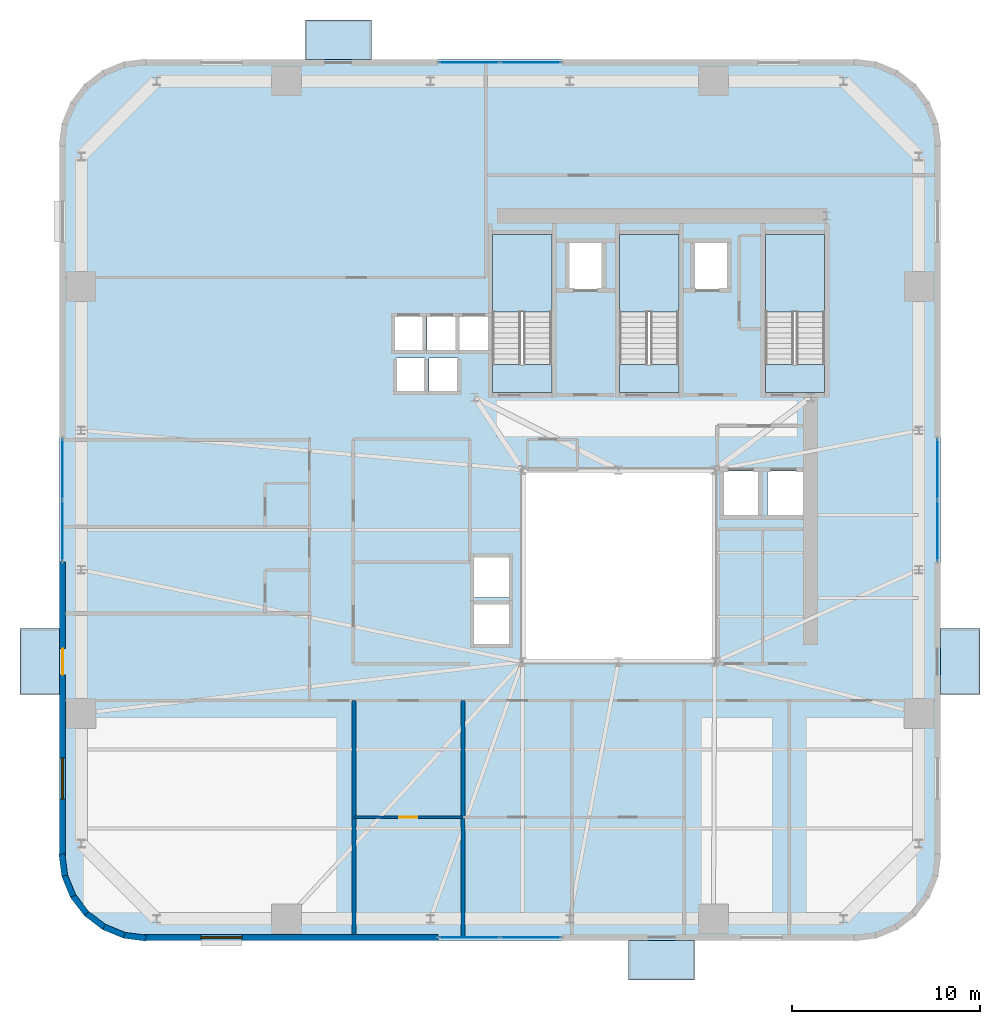
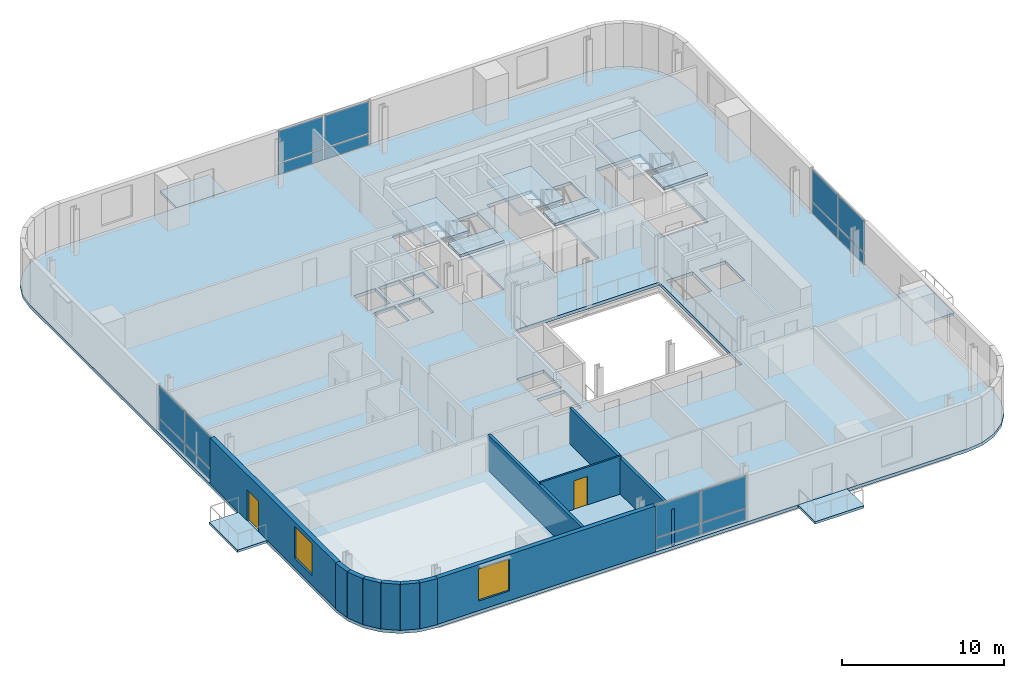
# One storey, part 5 of 14: 16 plates, 11 slabs, 11 walls, 2 doors, 2 windows, 4 openings, 7 elements without a shape of their own.
"""IFC4 building model written with IfcOpenShell, lengths in metres."""

from ifc_helpers import new_model, si_unit, direction, frame, frame_2d, origin, origin_2d, place, context, subcontext, project, spatial, polyline, rectangle, outline, extrude, source, transform, mapped, material, layer, layer_set, type_object, element, fill, aggregate, save


model = new_model("IFC4")

# Units and contexts
model_context = context("Model", 3, precision=1e-05, world=origin(), true_north=direction((0.0, 1.0)))
body_context = subcontext(model_context, "Body", "Model", "MODEL_VIEW")
ifc_project = project(units=[si_unit("LENGTHUNIT", "METRE"), si_unit("AREAUNIT", "SQUARE_METRE"), si_unit("VOLUMEUNIT", "CUBIC_METRE"), si_unit("PLANEANGLEUNIT", "RADIAN"), si_unit("MASSUNIT", "GRAM", prefix="KILO")], contexts=[model_context])

# Site, building, storey
site_placement = place(None, origin())
site = spatial("IfcSite", under=ifc_project, at=site_placement, CompositionType="ELEMENT")
building_placement = place(site_placement, origin())
building = spatial("IfcBuilding", under=site, at=building_placement, Name="Vardaveli Station Tower", CompositionType="ELEMENT")
storey_placement = place(building_placement, frame((0.0, 0.0, 144.60009765625)))
storey = spatial("IfcBuildingStorey", under=building, at=storey_placement, Name="L37", CompositionType="ELEMENT", Elevation=144.60009765625)

# Stair, slabs
ifc_material_1 = material(Name="Concrete C40/50", Category="concrete")
stair_type = type_object("IfcStairType", Name="STR-CORE-1500", PredefinedType="HALF_TURN_STAIR", material=ifc_material_1)
stair_1_placement = place(storey_placement, origin())
stair_1 = element("IfcStair", 1, at=stair_1_placement, inside=storey, type_object=stair_type, Name="L37 ST-1", PredefinedType="HALF_TURN_STAIR")
ifc_layer_1 = layer(ifc_material_1, 0.199951171875, Name="Concrete C40/50")
ifc_layer_set_1 = layer_set([ifc_layer_1], Name="Concrete C40/50")
slab_type_1 = type_object("IfcSlabType", Name="SLB-LAND-200", PredefinedType="LANDING", material=ifc_layer_set_1)
slab_1_placement = place(storey_placement, frame((0.0, 0.0, 1.64990234375)))
slab_1 = element("IfcSlab", 2, at=slab_1_placement, type_object=slab_type_1, Name="ST-1 landing 1", PredefinedType="LANDING", context=body_context, shape_type="SweptSolid", body=[
    extrude(outline(polyline([(32.75, 35.199951171875), (32.75, 39.300048828125), (29.60009765625, 39.300048828125), (29.60009765625, 35.199951171875), (32.75, 35.199951171875)])), origin(), (0.0, 0.0, 1.0), 0.199951171875),
])
slab_2_placement = place(storey_placement, frame((0.0, 0.0, 3.5)))
slab_2 = element("IfcSlab", 3, at=slab_2_placement, type_object=slab_type_1, Name="ST-1 landing 2", PredefinedType="LANDING", context=body_context, shape_type="SweptSolid", body=[
    extrude(outline(polyline([(32.75, 30.89990234375), (32.75, 32.39990234375), (29.60009765625, 32.39990234375), (29.60009765625, 30.89990234375), (32.75, 30.89990234375)])), origin(), (0.0, 0.0, 1.0), 0.199951171875),
])
aggregate(stair_1, [slab_1, slab_2])

stair_2_placement = place(storey_placement, origin())
stair_2 = element("IfcStair", 4, at=stair_2_placement, inside=storey, type_object=stair_type, Name="L37 ST-2", PredefinedType="HALF_TURN_STAIR")
slab_3_placement = place(storey_placement, frame((0.0, 0.0, 1.64990234375)))
slab_3 = element("IfcSlab", 5, at=slab_3_placement, type_object=slab_type_1, Name="ST-2 landing 1", PredefinedType="LANDING", context=body_context, shape_type="SweptSolid", body=[
    extrude(outline(polyline([(39.5, 35.199951171875), (39.5, 39.300048828125), (36.35009765625, 39.300048828125), (36.35009765625, 35.199951171875), (39.5, 35.199951171875)])), origin(), (0.0, 0.0, 1.0), 0.199951171875),
])
slab_4_placement = place(storey_placement, frame((0.0, 0.0, 3.5)))
slab_4 = element("IfcSlab", 6, at=slab_4_placement, type_object=slab_type_1, Name="ST-2 landing 2", PredefinedType="LANDING", context=body_context, shape_type="SweptSolid", body=[
    extrude(outline(polyline([(39.5, 30.89990234375), (39.5, 32.39990234375), (36.35009765625, 32.39990234375), (36.35009765625, 30.89990234375), (39.5, 30.89990234375)])), origin(), (0.0, 0.0, 1.0), 0.199951171875),
])
aggregate(stair_2, [slab_3, slab_4])

stair_3_placement = place(storey_placement, origin())
stair_3 = element("IfcStair", 7, at=stair_3_placement, inside=storey, type_object=stair_type, Name="L37 ST-3", PredefinedType="HALF_TURN_STAIR")
slab_5_placement = place(storey_placement, frame((0.0, 0.0, 1.64990234375)))
slab_5 = element("IfcSlab", 8, at=slab_5_placement, type_object=slab_type_1, Name="ST-3 landing 1", PredefinedType="LANDING", context=body_context, shape_type="SweptSolid", body=[
    extrude(outline(polyline([(47.25, 35.199951171875), (47.25, 39.300048828125), (44.10009765625, 39.300048828125), (44.10009765625, 35.199951171875), (47.25, 35.199951171875)])), origin(), (0.0, 0.0, 1.0), 0.199951171875),
])
slab_6_placement = place(storey_placement, frame((0.0, 0.0, 3.5)))
slab_6 = element("IfcSlab", 9, at=slab_6_placement, type_object=slab_type_1, Name="ST-3 landing 2", PredefinedType="LANDING", context=body_context, shape_type="SweptSolid", body=[
    extrude(outline(polyline([(47.25, 30.89990234375), (47.25, 32.39990234375), (44.10009765625, 32.39990234375), (44.10009765625, 30.89990234375), (47.25, 30.89990234375)])), origin(), (0.0, 0.0, 1.0), 0.199951171875),
])
aggregate(stair_3, [slab_5, slab_6])

# Slabs
ifc_material_2 = material(Name="Precast concrete C45/55", Category="concrete")
ifc_layer_2 = layer(ifc_material_2, 0.179931640625, Name="Precast concrete C45/55")
ifc_layer_set_2 = layer_set([ifc_layer_2], Name="Precast concrete C45/55")
slab_type_2 = type_object("IfcSlabType", Name="SLB-LOGGIA-180", PredefinedType="FLOOR", material=ifc_layer_set_2)
slab_7_placement = place(storey_placement, frame((0.0, 0.0, -0.18017578125)))
element("IfcSlab", 10, at=slab_7_placement, inside=storey, type_object=slab_type_2, Name="LOG-L37-S", PredefinedType="FLOOR", context=body_context, shape_type="SweptSolid", body=[
    extrude(outline(polyline([(36.839599609375, -0.300048828125), (40.339599609375, -0.300048828125), (40.339599609375, 1.800048828125), (36.839599609375, 1.800048828125), (36.839599609375, -0.300048828125)])), origin(), (0.0, 0.0, 1.0), 0.18017578125),
])
slab_8_placement = place(storey_placement, frame((0.0, 0.0, -0.18017578125)))
element("IfcSlab", 11, at=slab_8_placement, inside=storey, type_object=slab_type_2, Name="LOG-L37-N", PredefinedType="FLOOR", context=body_context, shape_type="SweptSolid", body=[
    extrude(outline(polyline([(19.660400390625, 48.60009765625), (23.160400390625, 48.60009765625), (23.160400390625, 50.699951171875), (19.660400390625, 50.699951171875), (19.660400390625, 48.60009765625)])), origin(), (0.0, 0.0, 1.0), 0.18017578125),
])
slab_9_placement = place(storey_placement, frame((0.0, 0.0, -0.18017578125)))
element("IfcSlab", 12, at=slab_9_placement, inside=storey, type_object=slab_type_2, Name="LOG-L37-W", PredefinedType="FLOOR", context=body_context, shape_type="SweptSolid", body=[
    extrude(outline(polyline([(4.5, 14.8603515625), (6.60009765625, 14.8603515625), (6.60009765625, 18.3603515625), (4.5, 18.3603515625), (4.5, 14.8603515625)])), origin(), (0.0, 0.0, 1.0), 0.18017578125),
])
slab_10_placement = place(storey_placement, frame((0.0, 0.0, -0.18017578125)))
element("IfcSlab", 13, at=slab_10_placement, inside=storey, type_object=slab_type_2, Name="LOG-L37-E", PredefinedType="FLOOR", context=body_context, shape_type="SweptSolid", body=[
    extrude(outline(polyline([(53.39990234375, 14.8603515625), (55.5, 14.8603515625), (55.5, 18.3603515625), (53.39990234375, 18.3603515625), (53.39990234375, 14.8603515625)])), origin(), (0.0, 0.0, 1.0), 0.18017578125),
])
ifc_layer_3 = layer(ifc_material_1, 0.239990234375, Name="Concrete C40/50")
ifc_layer_set_3 = layer_set([ifc_layer_3], Name="Concrete C40/50")
slab_type_3 = type_object("IfcSlabType", Name="SLB-TOW-240", PredefinedType="FLOOR", material=ifc_layer_set_3)
slab_11_placement = place(storey_placement, frame((0.0, 0.0, -0.239990234375)))
element("IfcSlab", 14, at=slab_11_placement, inside=storey, type_object=slab_type_3, Name="SLB-L37-MAIN", PredefinedType="FLOOR", context=body_context, shape_type="SweptSolid", body=[
    extrude(outline(polyline([(6.60009765625, 6.300048828125), (6.75341796875, 5.13525390625), (7.202880859375, 4.050048828125), (7.91796875, 3.117919921875), (8.85009765625, 2.40283203125), (9.935302734375, 1.953369140625), (11.10009765625, 1.800048828125), (48.89990234375, 1.800048828125), (50.064697265625, 1.953369140625), (51.14990234375, 2.40283203125), (52.08203125, 3.117919921875), (52.797119140625, 4.050048828125), (53.24658203125, 5.13525390625), (53.39990234375, 6.300048828125), (53.39990234375, 44.10009765625), (53.24658203125, 45.2646484375), (52.797119140625, 46.35009765625), (52.08203125, 47.281982421875), (51.14990234375, 47.9970703125), (50.064697265625, 48.44677734375), (48.89990234375, 48.60009765625), (11.10009765625, 48.60009765625), (9.935302734375, 48.44677734375), (8.85009765625, 47.9970703125), (7.91796875, 47.281982421875), (7.202880859375, 46.35009765625), (6.75341796875, 45.2646484375), (6.60009765625, 44.10009765625), (6.60009765625, 6.300048828125)]), holes=[polyline([(31.199951171875, 16.60009765625), (41.39990234375, 16.60009765625), (41.39990234375, 26.800048828125), (31.199951171875, 26.800048828125), (31.199951171875, 16.60009765625)]), polyline([(32.75, 30.89990234375), (32.75, 39.300048828125), (29.60009765625, 39.300048828125), (29.60009765625, 30.89990234375), (32.75, 30.89990234375)]), polyline([(39.5, 30.89990234375), (39.5, 39.300048828125), (36.35009765625, 39.300048828125), (36.35009765625, 30.89990234375), (39.5, 30.89990234375)]), polyline([(47.25, 30.89990234375), (47.25, 39.300048828125), (44.10009765625, 39.300048828125), (44.10009765625, 30.89990234375), (47.25, 30.89990234375)]), polyline([(24.385009765625, 33.135009765625), (25.9150390625, 33.135009765625), (25.9150390625, 34.965087890625), (24.385009765625, 34.965087890625), (24.385009765625, 33.135009765625)]), polyline([(26.135009765625, 33.135009765625), (27.6650390625, 33.135009765625), (27.6650390625, 34.965087890625), (26.135009765625, 34.965087890625), (26.135009765625, 33.135009765625)]), polyline([(27.8349609375, 33.135009765625), (29.364990234375, 33.135009765625), (29.364990234375, 34.965087890625), (27.8349609375, 34.965087890625), (27.8349609375, 33.135009765625)]), polyline([(33.659912109375, 36.409912109375), (35.43994140625, 36.409912109375), (35.43994140625, 38.889892578125), (33.659912109375, 38.889892578125), (33.659912109375, 36.409912109375)]), polyline([(40.31005859375, 36.409912109375), (42.090087890625, 36.409912109375), (42.090087890625, 38.889892578125), (40.31005859375, 38.889892578125), (40.31005859375, 36.409912109375)]), polyline([(24.485107421875, 30.9599609375), (26.014892578125, 30.9599609375), (26.014892578125, 32.739990234375), (24.485107421875, 32.739990234375), (24.485107421875, 30.9599609375)]), polyline([(26.235107421875, 30.9599609375), (27.764892578125, 30.9599609375), (27.764892578125, 32.739990234375), (26.235107421875, 32.739990234375), (26.235107421875, 30.9599609375)]), polyline([(28.5849609375, 17.510009765625), (30.514892578125, 17.510009765625), (30.514892578125, 19.68994140625), (28.5849609375, 19.68994140625), (28.5849609375, 17.510009765625)]), polyline([(28.5849609375, 20.010009765625), (30.514892578125, 20.010009765625), (30.514892578125, 22.18994140625), (28.5849609375, 22.18994140625), (28.5849609375, 20.010009765625)]), polyline([(41.860107421875, 24.360107421875), (43.739990234375, 24.360107421875), (43.739990234375, 26.739990234375), (41.860107421875, 26.739990234375), (41.860107421875, 24.360107421875)]), polyline([(44.2099609375, 24.360107421875), (46.090087890625, 24.360107421875), (46.090087890625, 26.739990234375), (44.2099609375, 26.739990234375), (44.2099609375, 24.360107421875)])]), origin(), (0.0, 0.0, 1.0), 0.239990234375),
])

# Curtain wall, plates
ifc_material_3 = material(Name="Travertine stone and solar-control glass", Category="masonry")
curtain_wall_type = type_object("IfcCurtainWallType", Name="CW-SYS-2", PredefinedType="NOTDEFINED", material=ifc_material_3)
curtain_wall_1_placement = place(storey_placement, origin())
curtain_wall_1 = element("IfcCurtainWall", 15, at=curtain_wall_1_placement, inside=storey, type_object=curtain_wall_type, Name="CW-L37-S", PredefinedType="NOTDEFINED")
ifc_material_4 = material(Name="Double-glazed low-E solar-control glass", Category="glass")
ifc_layer_4 = layer(ifc_material_4, 0.035888671875, Name="Double-glazed low-E solar-control glass")
ifc_layer_set_4 = layer_set([ifc_layer_4], Name="Double-glazed low-E solar-control glass")
plate_type = type_object("IfcPlateType", Name="CW-SYS-2-PAN", PredefinedType="CURTAIN_PANEL", material=ifc_layer_set_4)
shared_shape_1 = source(origin(), body_context, "Body", "SweptSolid", [
    extrude(rectangle(XDim=3.172607421875, YDim=0.035888671875, at=origin_2d()), origin(), (0.0, 0.0, 1.0), 0.822509765625),
])
plate_1_placement = place(storey_placement, frame((28.371337890625, 1.9599609375, 0.0849609375), z_axis=(0.0, 0.0, 1.0), x_axis=(1.0, 0.0, 0.0)))
plate_1 = element("IfcPlate", 16, at=plate_1_placement, type_object=plate_type, Name="CW-2 panel 1.1", PredefinedType="CURTAIN_PANEL", context=body_context, shape_type="MappedRepresentation", body=[
    mapped(shared_shape_1, transform((0.0, 0.0, 0.0), scale=1.0)),
])
plate_2_placement = place(storey_placement, frame((31.628662109375, 1.9599609375, 0.0849609375), z_axis=(0.0, 0.0, 1.0), x_axis=(1.0, 0.0, 0.0)))
plate_2 = element("IfcPlate", 17, at=plate_2_placement, type_object=plate_type, Name="CW-2 panel 2.1", PredefinedType="CURTAIN_PANEL", context=body_context, shape_type="MappedRepresentation", body=[
    mapped(shared_shape_1, transform((0.0, 0.0, 0.0), scale=1.0)),
])

curtain_wall_2_placement = place(storey_placement, origin())
curtain_wall_2 = element("IfcCurtainWall", 18, at=curtain_wall_2_placement, inside=storey, type_object=curtain_wall_type, Name="CW-L37-N", PredefinedType="NOTDEFINED")
plate_3_placement = place(storey_placement, frame((31.628662109375, 48.43994140625, 0.0849609375), z_axis=(0.0, 0.0, 1.0), x_axis=(-1.0, 0.0, 0.0)))
plate_3 = element("IfcPlate", 19, at=plate_3_placement, type_object=plate_type, Name="CW-2 panel 1.1", PredefinedType="CURTAIN_PANEL", context=body_context, shape_type="MappedRepresentation", body=[
    mapped(shared_shape_1, transform((0.0, 0.0, 0.0), scale=1.0)),
])
plate_4_placement = place(storey_placement, frame((28.371337890625, 48.43994140625, 0.0849609375), z_axis=(0.0, 0.0, 1.0), x_axis=(-1.0, 0.0, 0.0)))
plate_4 = element("IfcPlate", 20, at=plate_4_placement, type_object=plate_type, Name="CW-2 panel 2.1", PredefinedType="CURTAIN_PANEL", context=body_context, shape_type="MappedRepresentation", body=[
    mapped(shared_shape_1, transform((0.0, 0.0, 0.0), scale=1.0)),
])

curtain_wall_3_placement = place(storey_placement, origin())
curtain_wall_3 = element("IfcCurtainWall", 21, at=curtain_wall_3_placement, inside=storey, type_object=curtain_wall_type, Name="CW-L37-W", PredefinedType="NOTDEFINED")
plate_5_placement = place(storey_placement, frame((6.760009765625, 26.828857421875, 0.0849609375), z_axis=(0.0, 0.0, 1.0), x_axis=(0.0, -1.0, 0.0)))
plate_5 = element("IfcPlate", 22, at=plate_5_placement, type_object=plate_type, Name="CW-2 panel 1.1", PredefinedType="CURTAIN_PANEL", context=body_context, shape_type="MappedRepresentation", body=[
    mapped(shared_shape_1, transform((0.0, 0.0, 0.0), scale=1.0)),
])
plate_6_placement = place(storey_placement, frame((6.760009765625, 23.5712890625, 0.0849609375), z_axis=(0.0, 0.0, 1.0), x_axis=(0.0, -1.0, 0.0)))
plate_6 = element("IfcPlate", 23, at=plate_6_placement, type_object=plate_type, Name="CW-2 panel 2.1", PredefinedType="CURTAIN_PANEL", context=body_context, shape_type="MappedRepresentation", body=[
    mapped(shared_shape_1, transform((0.0, 0.0, 0.0), scale=1.0)),
])

curtain_wall_4_placement = place(storey_placement, origin())
curtain_wall_4 = element("IfcCurtainWall", 24, at=curtain_wall_4_placement, inside=storey, type_object=curtain_wall_type, Name="CW-L37-E", PredefinedType="NOTDEFINED")
plate_7_placement = place(storey_placement, frame((53.239990234375, 23.5712890625, 0.0849609375), z_axis=(0.0, 0.0, 1.0), x_axis=(0.0, 1.0, 0.0)))
plate_7 = element("IfcPlate", 25, at=plate_7_placement, type_object=plate_type, Name="CW-2 panel 1.1", PredefinedType="CURTAIN_PANEL", context=body_context, shape_type="MappedRepresentation", body=[
    mapped(shared_shape_1, transform((0.0, 0.0, 0.0), scale=1.0)),
])
plate_8_placement = place(storey_placement, frame((53.239990234375, 26.828857421875, 0.0849609375), z_axis=(0.0, 0.0, 1.0), x_axis=(0.0, 1.0, 0.0)))
plate_8 = element("IfcPlate", 26, at=plate_8_placement, type_object=plate_type, Name="CW-2 panel 2.1", PredefinedType="CURTAIN_PANEL", context=body_context, shape_type="MappedRepresentation", body=[
    mapped(shared_shape_1, transform((0.0, 0.0, 0.0), scale=1.0)),
])

# Plate
shared_shape_2 = source(origin(), body_context, "Body", "SweptSolid", [
    extrude(rectangle(XDim=3.172607421875, YDim=0.035888671875, at=origin_2d()), origin(), (0.0, 0.0, 1.0), 2.382568359375),
])
plate_9_placement = place(storey_placement, frame((28.371337890625, 1.9599609375, 0.9921875), z_axis=(0.0, 0.0, 1.0), x_axis=(1.0, 0.0, 0.0)))
plate_9 = element("IfcPlate", 27, at=plate_9_placement, type_object=plate_type, Name="CW-2 panel 1.2", PredefinedType="CURTAIN_PANEL", context=body_context, shape_type="MappedRepresentation", body=[
    mapped(shared_shape_2, transform((0.0, 0.0, 0.0), scale=1.0)),
])

plate_10_placement = place(storey_placement, frame((31.628662109375, 1.9599609375, 0.9921875), z_axis=(0.0, 0.0, 1.0), x_axis=(1.0, 0.0, 0.0)))
plate_10 = element("IfcPlate", 28, at=plate_10_placement, type_object=plate_type, Name="CW-2 panel 2.2", PredefinedType="CURTAIN_PANEL", context=body_context, shape_type="MappedRepresentation", body=[
    mapped(shared_shape_2, transform((0.0, 0.0, 0.0), scale=1.0)),
])

aggregate(curtain_wall_1, [plate_1, plate_9, plate_2, plate_10])

plate_11_placement = place(storey_placement, frame((31.628662109375, 48.43994140625, 0.9921875), z_axis=(0.0, 0.0, 1.0), x_axis=(-1.0, 0.0, 0.0)))
plate_11 = element("IfcPlate", 29, at=plate_11_placement, type_object=plate_type, Name="CW-2 panel 1.2", PredefinedType="CURTAIN_PANEL", context=body_context, shape_type="MappedRepresentation", body=[
    mapped(shared_shape_2, transform((0.0, 0.0, 0.0), scale=1.0)),
])

plate_12_placement = place(storey_placement, frame((28.371337890625, 48.43994140625, 0.9921875), z_axis=(0.0, 0.0, 1.0), x_axis=(-1.0, 0.0, 0.0)))
plate_12 = element("IfcPlate", 30, at=plate_12_placement, type_object=plate_type, Name="CW-2 panel 2.2", PredefinedType="CURTAIN_PANEL", context=body_context, shape_type="MappedRepresentation", body=[
    mapped(shared_shape_2, transform((0.0, 0.0, 0.0), scale=1.0)),
])

aggregate(curtain_wall_2, [plate_3, plate_11, plate_4, plate_12])

plate_13_placement = place(storey_placement, frame((6.760009765625, 26.828857421875, 0.9921875), z_axis=(0.0, 0.0, 1.0), x_axis=(0.0, -1.0, 0.0)))
plate_13 = element("IfcPlate", 31, at=plate_13_placement, type_object=plate_type, Name="CW-2 panel 1.2", PredefinedType="CURTAIN_PANEL", context=body_context, shape_type="MappedRepresentation", body=[
    mapped(shared_shape_2, transform((0.0, 0.0, 0.0), scale=1.0)),
])

plate_14_placement = place(storey_placement, frame((6.760009765625, 23.5712890625, 0.9921875), z_axis=(0.0, 0.0, 1.0), x_axis=(0.0, -1.0, 0.0)))
plate_14 = element("IfcPlate", 32, at=plate_14_placement, type_object=plate_type, Name="CW-2 panel 2.2", PredefinedType="CURTAIN_PANEL", context=body_context, shape_type="MappedRepresentation", body=[
    mapped(shared_shape_2, transform((0.0, 0.0, 0.0), scale=1.0)),
])

aggregate(curtain_wall_3, [plate_5, plate_13, plate_6, plate_14])

plate_15_placement = place(storey_placement, frame((53.239990234375, 23.5712890625, 0.9921875), z_axis=(0.0, 0.0, 1.0), x_axis=(0.0, 1.0, 0.0)))
plate_15 = element("IfcPlate", 33, at=plate_15_placement, type_object=plate_type, Name="CW-2 panel 1.2", PredefinedType="CURTAIN_PANEL", context=body_context, shape_type="MappedRepresentation", body=[
    mapped(shared_shape_2, transform((0.0, 0.0, 0.0), scale=1.0)),
])

plate_16_placement = place(storey_placement, frame((53.239990234375, 26.828857421875, 0.9921875), z_axis=(0.0, 0.0, 1.0), x_axis=(0.0, 1.0, 0.0)))
plate_16 = element("IfcPlate", 34, at=plate_16_placement, type_object=plate_type, Name="CW-2 panel 2.2", PredefinedType="CURTAIN_PANEL", context=body_context, shape_type="MappedRepresentation", body=[
    mapped(shared_shape_2, transform((0.0, 0.0, 0.0), scale=1.0)),
])

aggregate(curtain_wall_4, [plate_7, plate_15, plate_8, plate_16])

# Wall, opening, window
ifc_layer_5 = layer(ifc_material_2, 0.320068359375, Name="Precast concrete C45/55")
ifc_layer_set_5 = layer_set([ifc_layer_5], Name="Precast concrete C45/55")
wall_type_1 = type_object("IfcWallType", Name="WAL-EXT-STONE-320", PredefinedType="SOLIDWALL", material=ifc_layer_set_5)
shared_shape_3 = source(origin(), body_context, "Body", "SweptSolid", [
    extrude(rectangle(XDim=15.599853515625, YDim=0.320068359375, at=frame_2d((7.7998046875, 0.0))), origin(), (0.0, 0.0, 1.0), 3.4599609375),
])
wall_1_placement = place(storey_placement, frame((11.10009765625, 1.9599609375, 0.0), z_axis=(0.0, 0.0, 1.0), x_axis=(1.0, 0.0, 0.0)))
wall_1 = element("IfcWall", 35, at=wall_1_placement, inside=storey, type_object=wall_type_1, Name="EW-L37-S1", PredefinedType="SOLIDWALL", context=body_context, shape_type="MappedRepresentation", body=[
    mapped(shared_shape_3, transform((0.0, 0.0, 0.0), scale=1.0)),
])
shared_shape_4 = source(origin(), body_context, "Body", "SweptSolid", [
    extrude(rectangle(XDim=2.199951171875, YDim=2.39990234375, at=frame_2d((1.10009765625, 1.199951171875))), frame((0.0, 0.169921875, 0.0), z_axis=(0.0, -1.0, 0.0), x_axis=(1.0, 0.0, 0.0)), (0.0, 0.0, 1.0), 0.340087890625),
])
opening_1_placement = place(wall_1_placement, frame((3.0048828125, 0.0, 0.719970703125)))
opening_1 = element("IfcOpeningElement", 36, at=opening_1_placement, cuts=wall_1, Name="Opening W-03", PredefinedType="OPENING", context=body_context, shape_type="MappedRepresentation", body=[
    mapped(shared_shape_4, transform((0.0, 0.0, 0.0), scale=1.0)),
])
ifc_material_5 = material(Name="Low-E solar-control glass", Category="glass")
window_type = type_object("IfcWindowType", Name="WIN-LOG-2200x2400", PartitioningType="SINGLE_PANEL", PredefinedType="WINDOW", material=ifc_material_5)
shared_shape_5 = source(origin(), body_context, "Body", "SweptSolid", [
    extrude(rectangle(XDim=2.199951171875, YDim=2.39990234375, at=frame_2d((1.10009765625, 1.199951171875))), frame((0.0, 0.030029296875, 0.0), z_axis=(0.0, -1.0, 0.0), x_axis=(1.0, 0.0, 0.0)), (0.0, 0.0, 1.0), 0.06005859375),
])
window_1_placement = place(opening_1_placement, origin())
window_1 = element("IfcWindow", 37, at=window_1_placement, inside=storey, type_object=window_type, Name="WN-L37-S1", OverallHeight=2.39990234375, OverallWidth=2.199951171875, PartitioningType="SINGLE_PANEL", PredefinedType="WINDOW", context=body_context, shape_type="MappedRepresentation", body=[
    mapped(shared_shape_5, transform((0.0, 0.0, 0.0), scale=1.0)),
])
fill(opening_1, window_1)

# Wall, openings, door, window
wall_2_placement = place(storey_placement, frame((6.760009765625, 21.89990234375, 0.0), z_axis=(0.0, 0.0, 1.0), x_axis=(0.0, -1.0, 0.0)))
wall_2 = element("IfcWall", 38, at=wall_2_placement, inside=storey, type_object=wall_type_1, Name="EW-L37-W2", PredefinedType="SOLIDWALL", context=body_context, shape_type="MappedRepresentation", body=[
    mapped(shared_shape_3, transform((0.0, 0.0, 0.0), scale=1.0)),
])
shared_shape_6 = source(origin(), body_context, "Body", "SweptSolid", [
    extrude(rectangle(XDim=1.39990234375, YDim=2.300048828125, at=frame_2d((0.699951171875, 1.14990234375))), frame((0.0, 0.169921875, 0.0), z_axis=(0.0, -1.0, 0.0), x_axis=(1.0, 0.0, 0.0)), (0.0, 0.0, 1.0), 0.340087890625),
])
opening_2_placement = place(wall_2_placement, frame((4.589599609375, 0.0, 0.0)))
opening_2 = element("IfcOpeningElement", 39, at=opening_2_placement, cuts=wall_2, Name="Opening D-09", PredefinedType="OPENING", context=body_context, shape_type="MappedRepresentation", body=[
    mapped(shared_shape_6, transform((0.0, 0.0, 0.0), scale=1.0)),
])
opening_3_placement = place(wall_2_placement, frame((10.39501953125, 0.0, 0.719970703125)))
opening_3 = element("IfcOpeningElement", 40, at=opening_3_placement, cuts=wall_2, Name="Opening W-03", PredefinedType="OPENING", context=body_context, shape_type="MappedRepresentation", body=[
    mapped(shared_shape_4, transform((0.0, 0.0, 0.0), scale=1.0)),
])
ifc_material_6 = material(Name="Thermally broken aluminium glass", Category="aluminium")
door_type_1 = type_object("IfcDoorType", Name="DR-LOG-1400x2300", OperationType="DOUBLE_DOOR_SLIDING", PredefinedType="DOOR", material=ifc_material_6)
shared_shape_7 = source(origin(), body_context, "Body", "SweptSolid", [
    extrude(rectangle(XDim=1.39990234375, YDim=2.300048828125, at=frame_2d((0.699951171875, 1.14990234375))), frame((0.0, 0.02490234375, 0.0), z_axis=(0.0, -1.0, 0.0), x_axis=(1.0, 0.0, 0.0)), (0.0, 0.0, 1.0), 0.050048828125),
])
door_1_placement = place(opening_2_placement, frame((1.39990234375, 0.0, 0.0), z_axis=(0.0, 0.0, 1.0), x_axis=(-1.0, 0.0, 0.0)))
door_1 = element("IfcDoor", 41, at=door_1_placement, inside=storey, type_object=door_type_1, Name="DLG-L37-W", OperationType="DOUBLE_DOOR_SLIDING", OverallHeight=2.300048828125, OverallWidth=1.39990234375, PredefinedType="DOOR", context=body_context, shape_type="MappedRepresentation", body=[
    mapped(shared_shape_7, transform((0.0, 0.0, 0.0), scale=1.0)),
])
fill(opening_2, door_1)
window_2_placement = place(opening_3_placement, origin())
window_2 = element("IfcWindow", 42, at=window_2_placement, inside=storey, type_object=window_type, Name="WN-L37-W2", OverallHeight=2.39990234375, OverallWidth=2.199951171875, PartitioningType="SINGLE_PANEL", PredefinedType="WINDOW", context=body_context, shape_type="MappedRepresentation", body=[
    mapped(shared_shape_5, transform((0.0, 0.0, 0.0), scale=1.0)),
])
fill(opening_3, window_2)

# Walls
shared_shape_8 = source(origin(), body_context, "Body", "SweptSolid", [
    extrude(rectangle(XDim=1.170654296875, YDim=0.320068359375, at=frame_2d((0.58544921875, 0.0))), origin(), (0.0, 0.0, 1.0), 3.4599609375),
])
wall_3_placement = place(storey_placement, frame((6.724365234375, 6.400634765625, 0.0), z_axis=(0.0, 0.0, 1.0), x_axis=(0.128269133229, -0.991739395941, 0.0)))
element("IfcWall", 43, at=wall_3_placement, inside=storey, type_object=wall_type_1, Name="EW-L37-CR1-1", PredefinedType="SOLIDWALL", context=body_context, shape_type="MappedRepresentation", body=[
    mapped(shared_shape_8, transform((0.0, 0.0, 0.0), scale=1.0)),
])
shared_shape_9 = source(origin(), body_context, "Body", "SweptSolid", [
    extrude(rectangle(XDim=1.1689453125, YDim=0.320068359375, at=frame_2d((0.58447265625, 0.0))), origin(), (0.0, 0.0, 1.0), 3.4599609375),
])
for number, where, z_axis, x_axis, name in (
    (44, (6.87451171875, 5.23974609375, 0.0), (0.0, 0.0, 1.0), (0.381127904695, -0.924522320046, 0.0), "EW-L37-CR1-2"),
    (45, (7.320068359375, 4.158935546875, 0.0), (0.0, 0.0, 1.0), (0.608387696831, -0.793639975269, 0.0), "EW-L37-CR1-3"),
):
    element("IfcWall", number, at=place(storey_placement, frame(where, z_axis=z_axis, x_axis=x_axis)), inside=storey, type_object=wall_type_1, Name=name, PredefinedType="SOLIDWALL", context=body_context, shape_type="MappedRepresentation", body=[
        mapped(shared_shape_9, transform((0.0, 0.0, 0.0), scale=1.0)),
    ])
shared_shape_10 = source(origin(), body_context, "Body", "SweptSolid", [
    extrude(rectangle(XDim=1.168701171875, YDim=0.320068359375, at=frame_2d((0.58447265625, 0.0))), origin(), (0.0, 0.0, 1.0), 3.4599609375),
])
wall_4_placement = place(storey_placement, frame((8.03125, 3.231201171875, 0.0), z_axis=(0.0, 0.0, 1.0), x_axis=(0.793663520347, -0.608356981114, 0.0)))
element("IfcWall", 46, at=wall_4_placement, inside=storey, type_object=wall_type_1, Name="EW-L37-CR1-4", PredefinedType="SOLIDWALL", context=body_context, shape_type="MappedRepresentation", body=[
    mapped(shared_shape_10, transform((0.0, 0.0, 0.0), scale=1.0)),
])
shared_shape_11 = source(origin(), body_context, "Body", "SweptSolid", [
    extrude(rectangle(XDim=1.16943359375, YDim=0.320068359375, at=frame_2d((0.584716796875, 0.0))), origin(), (0.0, 0.0, 1.0), 3.4599609375),
])
wall_5_placement = place(storey_placement, frame((8.958740234375, 2.520263671875, 0.0), z_axis=(0.0, 0.0, 1.0), x_axis=(0.924479075121, -0.381232789334, 0.0)))
element("IfcWall", 47, at=wall_5_placement, inside=storey, type_object=wall_type_1, Name="EW-L37-CR1-5", PredefinedType="SOLIDWALL", context=body_context, shape_type="MappedRepresentation", body=[
    mapped(shared_shape_11, transform((0.0, 0.0, 0.0), scale=1.0)),
])
shared_shape_12 = source(origin(), body_context, "Body", "SweptSolid", [
    extrude(rectangle(XDim=1.170166015625, YDim=0.320068359375, at=frame_2d((0.5849609375, 0.0))), origin(), (0.0, 0.0, 1.0), 3.4599609375),
])
wall_6_placement = place(storey_placement, frame((10.039794921875, 2.074462890625, 0.0), z_axis=(0.0, 0.0, 1.0), x_axis=(0.991762485493, -0.128090485085, 0.0)))
element("IfcWall", 48, at=wall_6_placement, inside=storey, type_object=wall_type_1, Name="EW-L37-CR1-6", PredefinedType="SOLIDWALL", context=body_context, shape_type="MappedRepresentation", body=[
    mapped(shared_shape_12, transform((0.0, 0.0, 0.0), scale=1.0)),
])
ifc_material_7 = material(Name="Acoustic twin-stud gypsum partition")
ifc_layer_6 = layer(ifc_material_7, 0.199951171875, Name="Acoustic twin-stud gypsum partition")
ifc_layer_set_6 = layer_set([ifc_layer_6], Name="Acoustic twin-stud gypsum partition")
wall_type_2 = type_object("IfcWallType", Name="WAL-PARTY-200", PredefinedType="PARTITIONING", material=ifc_layer_set_6)
shared_shape_13 = source(origin(), body_context, "Body", "SweptSolid", [
    extrude(rectangle(XDim=12.427978515625, YDim=0.199951171875, at=frame_2d((6.2138671875, 0.0))), origin(), (0.0, 0.0, 1.0), 2.701904296875),
])
wall_7_placement = place(storey_placement, frame((22.25, 2.1220703125, 0.0), z_axis=(0.0, 0.0, 1.0), x_axis=(0.0, 1.0, 0.0)))
element("IfcWall", 49, at=wall_7_placement, inside=storey, type_object=wall_type_2, Name="W-L37-PS1", PredefinedType="PARTITIONING", context=body_context, shape_type="MappedRepresentation", body=[
    mapped(shared_shape_13, transform((0.0, 0.0, 0.0), scale=1.0)),
])
shared_shape_14 = source(origin(), body_context, "Body", "SweptSolid", [
    extrude(rectangle(XDim=12.6201171875, YDim=0.199951171875, at=frame_2d((6.31005859375, 0.0))), origin(), (0.0, 0.0, 1.0), 2.701904296875),
])
wall_8_placement = place(storey_placement, frame((28.029052734375, 1.929931640625, 0.0), z_axis=(0.0, 0.0, 1.0), x_axis=(0.0, 1.0, 0.0)))
element("IfcWall", 50, at=wall_8_placement, inside=storey, type_object=wall_type_2, Name="W-L37-PS2", PredefinedType="PARTITIONING", context=body_context, shape_type="MappedRepresentation", body=[
    mapped(shared_shape_14, transform((0.0, 0.0, 0.0), scale=1.0)),
])

# Wall, opening, door
ifc_material_8 = material(Name="Gypsum board stud partition")
ifc_layer_7 = layer(ifc_material_8, 0.125, Name="Gypsum board stud partition")
ifc_layer_set_7 = layer_set([ifc_layer_7], Name="Gypsum board stud partition")
wall_type_3 = type_object("IfcWallType", Name="WAL-INT-125", PredefinedType="PARTITIONING", material=ifc_layer_set_7)
shared_shape_15 = source(origin(), body_context, "Body", "SweptSolid", [
    extrude(rectangle(XDim=5.779052734375, YDim=0.125, at=frame_2d((2.8896484375, 0.0))), origin(), (0.0, 0.0, 1.0), 2.851806640625),
])
wall_9_placement = place(storey_placement, frame((22.25, 8.35009765625, 0.0), z_axis=(0.0, 0.0, 1.0), x_axis=(1.0, 0.0, 0.0)))
wall_9 = element("IfcWall", 51, at=wall_9_placement, inside=storey, type_object=wall_type_3, Name="W-L37-SCM2", PredefinedType="PARTITIONING", context=body_context, shape_type="MappedRepresentation", body=[
    mapped(shared_shape_15, transform((0.0, 0.0, 0.0), scale=1.0)),
])
shared_shape_16 = source(origin(), body_context, "Body", "SweptSolid", [
    extrude(rectangle(XDim=0.949951171875, YDim=2.14990234375, at=frame_2d((0.47509765625, 1.074951171875))), frame((0.0, 0.072509765625, 0.0), z_axis=(0.0, -1.0, 0.0), x_axis=(1.0, 0.0, 0.0)), (0.0, 0.0, 1.0), 0.14501953125),
])
opening_4_placement = place(wall_9_placement, frame((2.40966796875, 0.0, 0.0)))
opening_4 = element("IfcOpeningElement", 52, at=opening_4_placement, cuts=wall_9, Name="Opening D-11", PredefinedType="OPENING", context=body_context, shape_type="MappedRepresentation", body=[
    mapped(shared_shape_16, transform((0.0, 0.0, 0.0), scale=1.0)),
])
ifc_material_9 = material(Name="Oak veneer internal suite door")
door_type_2 = type_object("IfcDoorType", Name="DR-INT-950x2150", OperationType="NOTDEFINED", PredefinedType="DOOR", material=ifc_material_9)
shared_shape_17 = source(origin(), body_context, "Body", "SweptSolid", [
    extrude(rectangle(XDim=0.949951171875, YDim=2.14990234375, at=frame_2d((0.47509765625, 1.074951171875))), frame((0.0, 0.02490234375, 0.0), z_axis=(0.0, -1.0, 0.0), x_axis=(1.0, 0.0, 0.0)), (0.0, 0.0, 1.0), 0.050048828125),
])
door_2_placement = place(opening_4_placement, origin())
door_2 = element("IfcDoor", 53, at=door_2_placement, inside=storey, type_object=door_type_2, Name="D-L37-SCF2", OperationType="SINGLE_SWING_RIGHT", OverallHeight=2.14990234375, OverallWidth=0.949951171875, PredefinedType="DOOR", context=body_context, shape_type="MappedRepresentation", body=[
    mapped(shared_shape_17, transform((0.0, 0.0, 0.0), scale=1.0)),
])
fill(opening_4, door_2)

save(model, "model.ifc")
